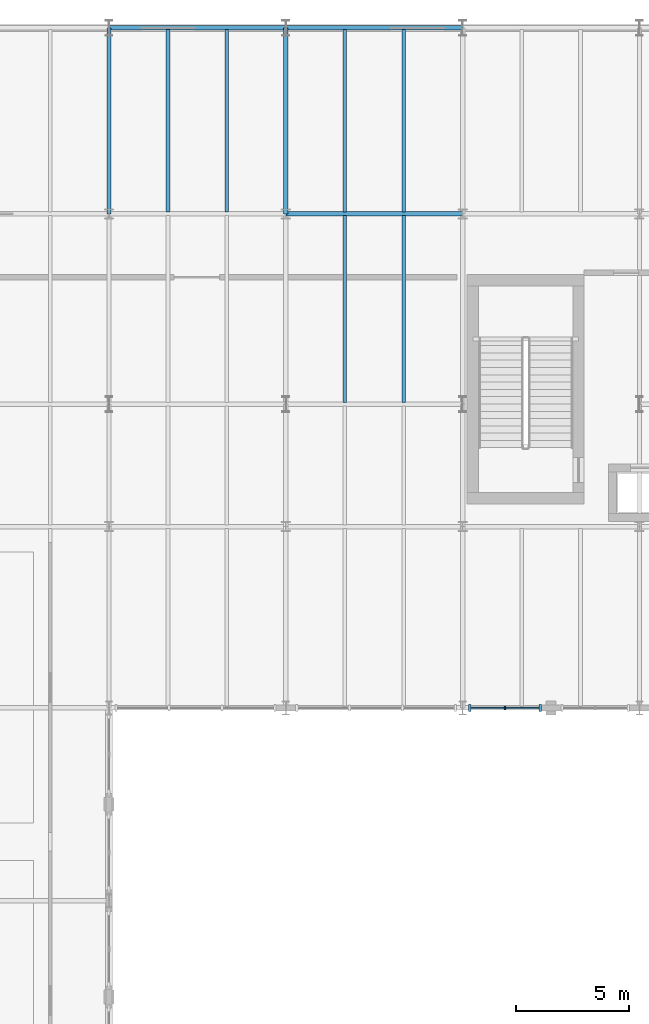
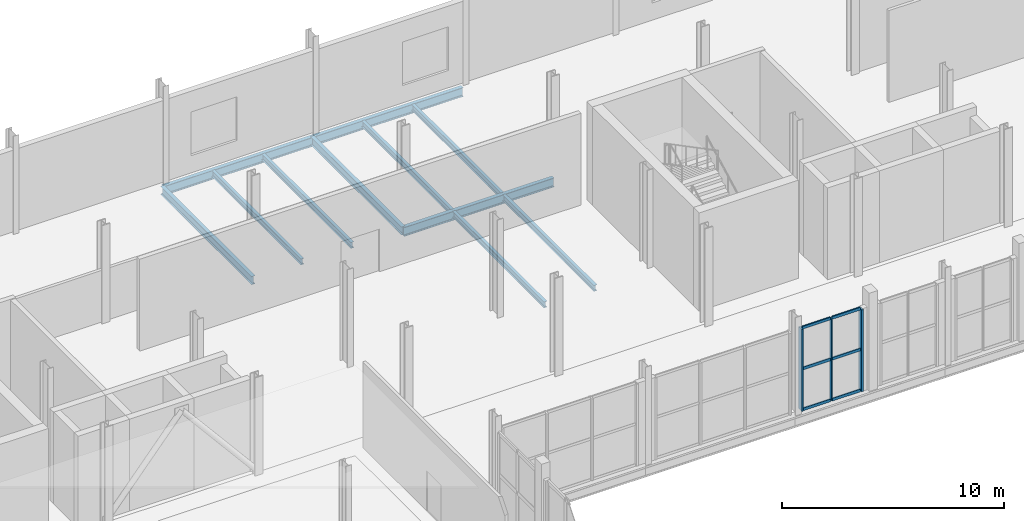
# One storey, part 29 of 78: 11 beams, 9 members, 1 element without a shape of its own.
"""IFC4 building model written with IfcOpenShell, lengths in metres."""

from ifc_helpers import new_model, si_unit, direction, frame, origin, origin_2d, place, context, subcontext, project, spatial, rectangle, i_section, extrude, material, layer, layer_set, material_profile, profile_set, type_object, element, aggregate, save


model = new_model("IFC4")

# Units and contexts
model_context = context("Model", 3, precision=1e-05, world=origin(), true_north=direction((0.0, 1.0)))
body_context = subcontext(model_context, "Body", "Model", "MODEL_VIEW")
ifc_project = project(units=[si_unit("LENGTHUNIT", "METRE"), si_unit("AREAUNIT", "SQUARE_METRE"), si_unit("VOLUMEUNIT", "CUBIC_METRE"), si_unit("PLANEANGLEUNIT", "RADIAN"), si_unit("MASSUNIT", "GRAM", prefix="KILO")], contexts=[model_context])

# Site, building, storey
site_placement = place(None, origin())
site = spatial("IfcSite", under=ifc_project, at=site_placement, CompositionType="ELEMENT")
building_placement = place(site_placement, origin())
building = spatial("IfcBuilding", under=site, at=building_placement, Name="Sefraquen Railside Congress Hotel", CompositionType="ELEMENT")
storey_placement = place(building_placement, frame((0.0, 0.0, 6.0)))
storey = spatial("IfcBuildingStorey", under=building, at=storey_placement, Name="L01", CompositionType="ELEMENT", Elevation=6.0)

# Beams
ifc_material_1 = material(Name="Steel S355JR", Category="steel")
ifc_material_profile_1 = material_profile(ifc_material_1, i_section(OverallWidth=0.18994140625, OverallDepth=0.449951171875, WebThickness=0.009521484375, FlangeThickness=0.0146484375, FilletRadius=0.02099609375, at=origin_2d()), Name="IPE 450")
ifc_profile_set_1 = profile_set([ifc_material_profile_1], Name="Steel S355JR")
beam_type_1 = type_object("IfcBeamType", Name="TB-BM-450", PredefinedType="BEAM", material=ifc_profile_set_1)
for number, where, z_axis, x_axis, name in (
    (1, (48.60009765625, 109.800048828125, -0.52490234375), (0.0, 1.0, 0.0), (-1.0, 0.0, 0.0), "Floor beam BM-L01-0567"),
    (2, (56.39990234375, 109.800048828125, -0.52490234375), (0.0, 1.0, 0.0), (-1.0, 0.0, 0.0), "Floor beam BM-L01-0571"),
):
    element("IfcBeam", number, at=place(storey_placement, frame(where, z_axis=z_axis, x_axis=x_axis)), inside=storey, type_object=beam_type_1, Name=name, PredefinedType="BEAM", context=body_context, shape_type="SweptSolid", body=[
        extrude(i_section(OverallWidth=0.18994140625, OverallDepth=0.449951171875, WebThickness=0.009521484375, FlangeThickness=0.0146484375, FilletRadius=0.02099609375, at=origin_2d()), origin(), (0.0, 0.0, 1.0), 8.199951171875),
    ])
ifc_material_profile_2 = material_profile(ifc_material_1, i_section(OverallWidth=0.199951171875, OverallDepth=0.5, WebThickness=0.01025390625, FlangeThickness=0.01611328125, FilletRadius=0.02099609375, at=origin_2d()), Name="IPE 500")
ifc_profile_set_2 = profile_set([ifc_material_profile_2], Name="Steel S355JR")
beam_type_2 = type_object("IfcBeamType", Name="TB-BM-500", PredefinedType="BEAM", material=ifc_profile_set_2)
beam_1_placement = place(storey_placement, frame((56.39990234375, 109.800048828125, -0.550048828125), z_axis=(1.0, 0.0, 0.0), x_axis=(0.0, 1.0, 0.0)))
element("IfcBeam", 3, at=beam_1_placement, inside=storey, type_object=beam_type_2, Name="Primary girder BM-L01-0487", PredefinedType="BEAM", context=body_context, shape_type="SweptSolid", body=[
    extrude(i_section(OverallWidth=0.199951171875, OverallDepth=0.5, WebThickness=0.01025390625, FlangeThickness=0.01611328125, FilletRadius=0.02099609375, at=origin_2d()), origin(), (0.0, 0.0, 1.0), 7.800048828125),
])
beam_2_placement = place(storey_placement, frame((48.60009765625, 118.0, -0.550048828125), z_axis=(1.0, 0.0, 0.0), x_axis=(0.0, 1.0, 0.0)))
element("IfcBeam", 4, at=beam_2_placement, inside=storey, type_object=beam_type_2, Name="Primary girder BM-L01-0498", PredefinedType="BEAM", context=body_context, shape_type="SweptSolid", body=[
    extrude(i_section(OverallWidth=0.199951171875, OverallDepth=0.5, WebThickness=0.01025390625, FlangeThickness=0.01611328125, FilletRadius=0.02099609375, at=origin_2d()), origin(), (0.0, 0.0, 1.0), 7.7998046875),
])
beam_3_placement = place(storey_placement, frame((56.39990234375, 118.0, -0.550048828125), z_axis=(1.0, 0.0, 0.0), x_axis=(0.0, 1.0, 0.0)))
element("IfcBeam", 5, at=beam_3_placement, inside=storey, type_object=beam_type_2, Name="Primary girder BM-L01-0499", PredefinedType="BEAM", context=body_context, shape_type="SweptSolid", body=[
    extrude(i_section(OverallWidth=0.199951171875, OverallDepth=0.5, WebThickness=0.01025390625, FlangeThickness=0.01611328125, FilletRadius=0.02099609375, at=origin_2d()), origin(), (0.0, 0.0, 1.0), 7.800048828125),
])
ifc_material_profile_3 = material_profile(ifc_material_1, i_section(OverallWidth=0.159912109375, OverallDepth=0.330078125, WebThickness=0.007568359375, FlangeThickness=0.011474609375, FilletRadius=0.01806640625, at=origin_2d()), Name="IPE 330")
ifc_profile_set_3 = profile_set([ifc_material_profile_3], Name="Steel S355JR")
beam_type_3 = type_object("IfcBeamType", Name="TB-JST-330", PredefinedType="JOIST", material=ifc_profile_set_3)
for number, where, z_axis, x_axis, name in (
    (6, (51.199951171875, 109.8798828125, -0.465087890625), (0.0, 1.0, 0.0), (-1.0, 0.0, 0.0), "Composite floor joist BM-L01-J0292"),
    (7, (53.800048828125, 109.8798828125, -0.465087890625), (0.0, 1.0, 0.0), (-1.0, 0.0, 0.0), "Composite floor joist BM-L01-J0293"),
):
    element("IfcBeam", number, at=place(storey_placement, frame(where, z_axis=z_axis, x_axis=x_axis)), inside=storey, type_object=beam_type_3, Name=name, PredefinedType="JOIST", context=body_context, shape_type="SweptSolid", body=[
        extrude(i_section(OverallWidth=0.159912109375, OverallDepth=0.330078125, WebThickness=0.007568359375, FlangeThickness=0.011474609375, FilletRadius=0.01806640625, at=origin_2d()), origin(), (0.0, 0.0, 1.0), 8.0400390625),
    ])
for number, where, z_axis, x_axis, name in (
    (8, (59.0, 101.47998046875, -0.465087890625), (0.0, 1.0, 0.0), (-1.0, 0.0, 0.0), "Composite floor joist BM-L01-J0298"),
    (9, (61.60009765625, 101.47998046875, -0.465087890625), (0.0, 1.0, 0.0), (-1.0, 0.0, 0.0), "Composite floor joist BM-L01-J0299"),
):
    element("IfcBeam", number, at=place(storey_placement, frame(where, z_axis=z_axis, x_axis=x_axis)), inside=storey, type_object=beam_type_3, Name=name, PredefinedType="JOIST", context=body_context, shape_type="SweptSolid", body=[
        extrude(i_section(OverallWidth=0.159912109375, OverallDepth=0.330078125, WebThickness=0.007568359375, FlangeThickness=0.011474609375, FilletRadius=0.01806640625, at=origin_2d()), origin(), (0.0, 0.0, 1.0), 8.239990234375),
    ])
for number, where, z_axis, x_axis, name in (
    (10, (59.0, 109.8798828125, -0.465087890625), (0.0, 1.0, 0.0), (-1.0, 0.0, 0.0), "Composite floor joist BM-L01-J0300"),
    (11, (61.60009765625, 109.8798828125, -0.465087890625), (0.0, 1.0, 0.0), (-1.0, 0.0, 0.0), "Composite floor joist BM-L01-J0301"),
):
    element("IfcBeam", number, at=place(storey_placement, frame(where, z_axis=z_axis, x_axis=x_axis)), inside=storey, type_object=beam_type_3, Name=name, PredefinedType="JOIST", context=body_context, shape_type="SweptSolid", body=[
        extrude(i_section(OverallWidth=0.159912109375, OverallDepth=0.330078125, WebThickness=0.007568359375, FlangeThickness=0.011474609375, FilletRadius=0.01806640625, at=origin_2d()), origin(), (0.0, 0.0, 1.0), 8.0400390625),
    ])

# Curtain wall, members
ifc_material_2 = material(Name="Thermally broken anodised aluminium and low-E double glazing", Category="aluminium")
ifc_layer = layer(ifc_material_2, 0.199951171875)
ifc_layer_set = layer_set([ifc_layer], Name="Thermally broken anodised aluminium and low-E double glazing")
curtain_wall_type = type_object("IfcCurtainWallType", Name="TCW-UCW-11", PredefinedType="USERDEFINED", material=ifc_layer_set)
curtain_wall_placement = place(storey_placement, origin())
curtain_wall = element("IfcCurtainWall", 12, at=curtain_wall_placement, inside=storey, type_object=curtain_wall_type, Name="Courtyard north gallery curtain wall L01-2", ObjectType="UNITISED CURTAIN WALL", PredefinedType="USERDEFINED")
ifc_material_3 = material(Name="Thermally broken anodised aluminium 6063-T6", Category="aluminium")
ifc_material_profile_4 = material_profile(ifc_material_3, rectangle(XDim=0.06005859375, YDim=0.159912109375, at=origin_2d()), Name="CWM 60x160")
ifc_profile_set_4 = profile_set([ifc_material_profile_4], Name="Thermally broken anodised aluminium 6063-T6")
member_type_1 = type_object("IfcMemberType", Name="TM-CWM-01", PredefinedType="MULLION", material=ifc_profile_set_4)
member_1_placement = place(storey_placement, frame((66.06494140625, 88.0, 0.0), z_axis=(0.0, 0.0, 1.0), x_axis=(1.0, 0.0, 0.0)))
member_1 = element("IfcMember", 13, at=member_1_placement, type_object=member_type_1, Name="CW-L01-043 mullion 2", PredefinedType="MULLION", context=body_context, shape_type="SweptSolid", body=[
    extrude(rectangle(XDim=0.06005859375, YDim=0.159912109375, at=origin_2d()), origin(), (0.0, 0.0, 1.0), 4.5),
])
ifc_material_profile_5 = material_profile(ifc_material_3, rectangle(XDim=0.094970703125, YDim=0.300048828125, at=origin_2d()), Name="CWM 95x300")
ifc_profile_set_5 = profile_set([ifc_material_profile_5], Name="Thermally broken anodised aluminium 6063-T6")
member_type_2 = type_object("IfcMemberType", Name="TM-CWM-08", PredefinedType="MULLION", material=ifc_profile_set_5)
member_2_placement = place(storey_placement, frame((64.510009765625, 88.0, 0.0), z_axis=(0.0, 0.0, 1.0), x_axis=(1.0, 0.0, 0.0)))
member_2 = element("IfcMember", 14, at=member_2_placement, type_object=member_type_2, Name="CW-L01-043 mullion 1", PredefinedType="MULLION", context=body_context, shape_type="SweptSolid", body=[
    extrude(rectangle(XDim=0.094970703125, YDim=0.300048828125, at=origin_2d()), origin(), (0.0, 0.0, 1.0), 4.5),
])
member_3_placement = place(storey_placement, frame((67.6201171875, 88.0, 0.0), z_axis=(0.0, 0.0, 1.0), x_axis=(1.0, 0.0, 0.0)))
member_3 = element("IfcMember", 15, at=member_3_placement, type_object=member_type_2, Name="CW-L01-043 mullion 3", PredefinedType="MULLION", context=body_context, shape_type="SweptSolid", body=[
    extrude(rectangle(XDim=0.094970703125, YDim=0.300048828125, at=origin_2d()), origin(), (0.0, 0.0, 1.0), 4.5),
])
ifc_material_profile_6 = material_profile(ifc_material_3, rectangle(XDim=0.070068359375, YDim=0.14990234375, at=origin_2d()), Name="CWT 70x150")
ifc_profile_set_6 = profile_set([ifc_material_profile_6], Name="Thermally broken anodised aluminium 6063-T6")
member_type_3 = type_object("IfcMemberType", Name="TM-CWT-03", PredefinedType="USERDEFINED", material=ifc_profile_set_6)
member_4_placement = place(storey_placement, frame((64.554931640625, 88.0, 0.0), z_axis=(1.0, 0.0, 0.0), x_axis=(0.0, 1.0, 0.0)))
member_4 = element("IfcMember", 16, at=member_4_placement, type_object=member_type_3, Name="CW-L01-043 transom 1.1", ObjectType="TRANSOM", PredefinedType="USERDEFINED", context=body_context, shape_type="SweptSolid", body=[
    extrude(rectangle(XDim=0.070068359375, YDim=0.14990234375, at=origin_2d()), origin(), (0.0, 0.0, 1.0), 1.465087890625),
])
member_5_placement = place(storey_placement, frame((66.110107421875, 88.0, 0.0), z_axis=(1.0, 0.0, 0.0), x_axis=(0.0, 1.0, 0.0)))
member_5 = element("IfcMember", 17, at=member_5_placement, type_object=member_type_3, Name="CW-L01-043 transom 1.2", ObjectType="TRANSOM", PredefinedType="USERDEFINED", context=body_context, shape_type="SweptSolid", body=[
    extrude(rectangle(XDim=0.070068359375, YDim=0.14990234375, at=origin_2d()), origin(), (0.0, 0.0, 1.0), 1.46484375),
])
member_6_placement = place(storey_placement, frame((64.554931640625, 88.0, 2.25), z_axis=(1.0, 0.0, 0.0), x_axis=(0.0, 1.0, 0.0)))
member_6 = element("IfcMember", 18, at=member_6_placement, type_object=member_type_3, Name="CW-L01-043 transom 2.1", ObjectType="TRANSOM", PredefinedType="USERDEFINED", context=body_context, shape_type="SweptSolid", body=[
    extrude(rectangle(XDim=0.070068359375, YDim=0.14990234375, at=origin_2d()), origin(), (0.0, 0.0, 1.0), 1.465087890625),
])
member_7_placement = place(storey_placement, frame((66.110107421875, 88.0, 2.25), z_axis=(1.0, 0.0, 0.0), x_axis=(0.0, 1.0, 0.0)))
member_7 = element("IfcMember", 19, at=member_7_placement, type_object=member_type_3, Name="CW-L01-043 transom 2.2", ObjectType="TRANSOM", PredefinedType="USERDEFINED", context=body_context, shape_type="SweptSolid", body=[
    extrude(rectangle(XDim=0.070068359375, YDim=0.14990234375, at=origin_2d()), origin(), (0.0, 0.0, 1.0), 1.46484375),
])
member_8_placement = place(storey_placement, frame((64.554931640625, 88.0, 4.5), z_axis=(1.0, 0.0, 0.0), x_axis=(0.0, 1.0, 0.0)))
member_8 = element("IfcMember", 20, at=member_8_placement, type_object=member_type_3, Name="CW-L01-043 transom 3.1", ObjectType="TRANSOM", PredefinedType="USERDEFINED", context=body_context, shape_type="SweptSolid", body=[
    extrude(rectangle(XDim=0.070068359375, YDim=0.14990234375, at=origin_2d()), origin(), (0.0, 0.0, 1.0), 1.465087890625),
])
member_9_placement = place(storey_placement, frame((66.110107421875, 88.0, 4.5), z_axis=(1.0, 0.0, 0.0), x_axis=(0.0, 1.0, 0.0)))
member_9 = element("IfcMember", 21, at=member_9_placement, type_object=member_type_3, Name="CW-L01-043 transom 3.2", ObjectType="TRANSOM", PredefinedType="USERDEFINED", context=body_context, shape_type="SweptSolid", body=[
    extrude(rectangle(XDim=0.070068359375, YDim=0.14990234375, at=origin_2d()), origin(), (0.0, 0.0, 1.0), 1.46484375),
])
aggregate(curtain_wall, [member_2, member_1, member_3, member_4, member_5, member_6, member_7, member_8, member_9])

save(model, "model.ifc")
